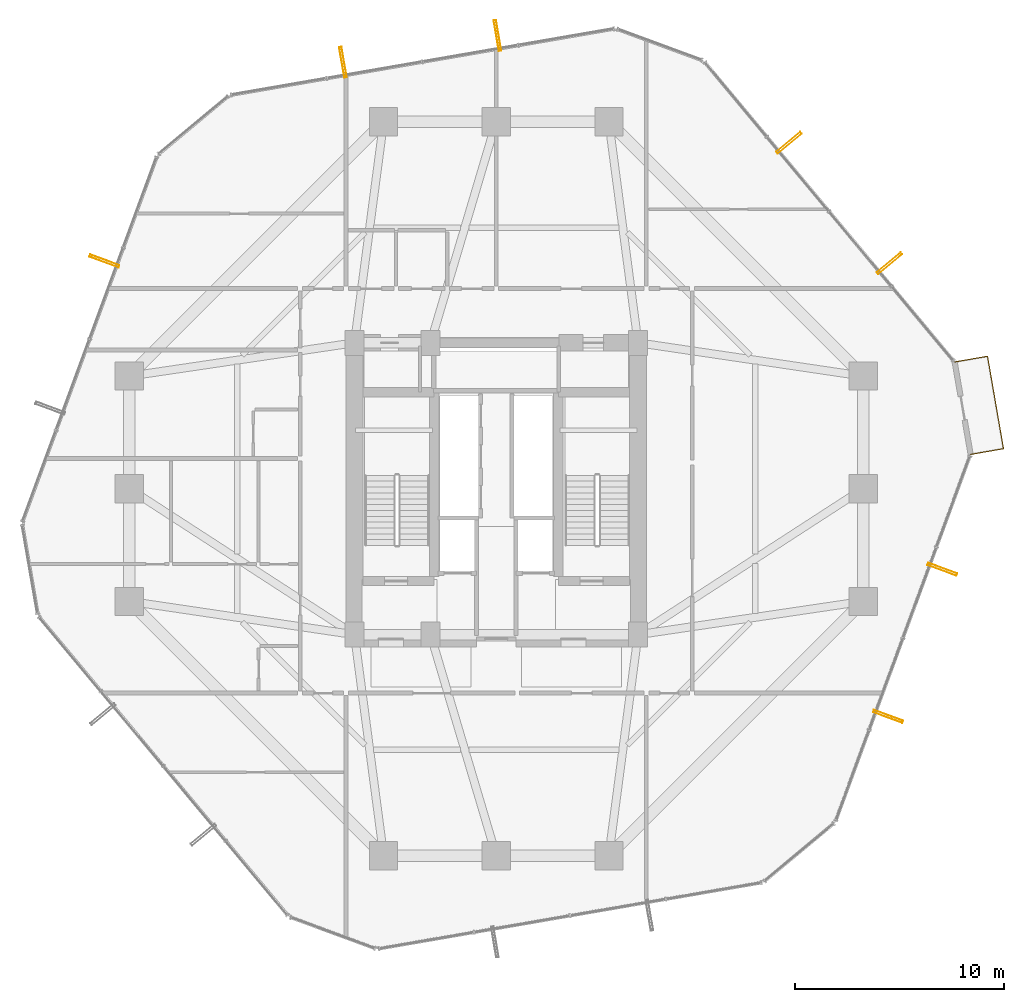
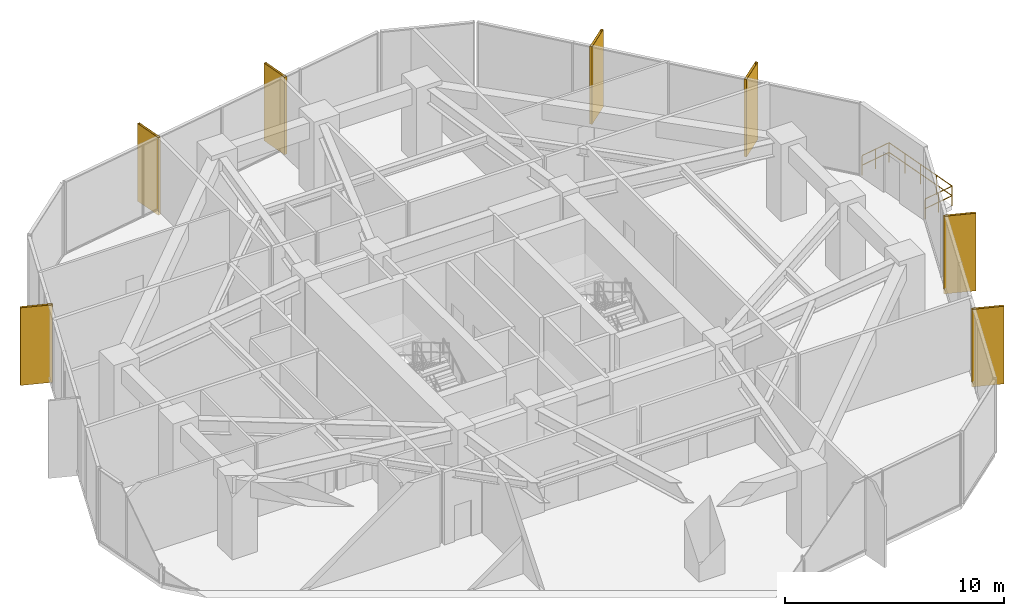
# One storey, part 35 of 35: 7 shading devices, 1 railing.
"""IFC4 building model written with IfcOpenShell, lengths in metres."""

from ifc_helpers import new_model, si_unit, direction, frame, origin, origin_2d, place, context, subcontext, project, spatial, hollow_rectangle, circle, extrude, material, material_profile, profile_set, type_object, element, save


model = new_model("IFC4")

# Units and contexts
model_context = context("Model", 3, precision=1e-05, world=origin(), true_north=direction((0.0, 1.0)))
body_context = subcontext(model_context, "Body", "Model", "MODEL_VIEW")
ifc_project = project(units=[si_unit("LENGTHUNIT", "METRE"), si_unit("AREAUNIT", "SQUARE_METRE"), si_unit("VOLUMEUNIT", "CUBIC_METRE"), si_unit("PLANEANGLEUNIT", "RADIAN"), si_unit("MASSUNIT", "GRAM", prefix="KILO")], contexts=[model_context])

# Site, building, storey
site_placement = place(None, origin())
site = spatial("IfcSite", under=ifc_project, at=site_placement, CompositionType="ELEMENT")
building_placement = place(site_placement, origin())
building = spatial("IfcBuilding", under=site, at=building_placement, Name="Veraguas Prism Commons", CompositionType="ELEMENT")
storey_placement = place(building_placement, frame((0.0, 0.0, 56.550048828125)))
storey = spatial("IfcBuildingStorey", under=building, at=storey_placement, Name="L15", CompositionType="ELEMENT", Elevation=56.550048828125)

# Shading devices
ifc_material_1 = material(Name="Anodised aluminium EN AW-6063 T6", Category="aluminium")
ifc_material_profile = material_profile(ifc_material_1, hollow_rectangle(XDim=0.1201171875, YDim=1.489990234375, WallThickness=0.006103515625, at=origin_2d()), Name="FIN120X1490X6")
ifc_profile_set = profile_set([ifc_material_profile], Name="Anodised aluminium EN AW-6063 T6")
shading_device_type = type_object("IfcShadingDeviceType", Name="Deep Pale-Metal Vertical Solar Fin 120x1490", PredefinedType="USERDEFINED", material=ifc_profile_set)
for number, where, z_axis, x_axis, name in (
    (1, (42.85595703125, 34.815185546875, -0.260009765625), (0.0, 0.0, 1.0), (-0.640108358576, 0.768284640795, 0.0), "Vertical Pale-Metal Solar Fin L15-F1A"),
    (2, (38.041259765625, 40.593994140625, -0.260009765625), (0.0, 0.0, 1.0), (-0.640108358576, 0.768284640795, 0.0), "Vertical Pale-Metal Solar Fin L15-F1B"),
    (3, (24.061767578125, 45.7373046875, -0.260009765625), (0.0, 0.0, 1.0), (-0.985407898483, -0.170209499166, 0.0), "Vertical Pale-Metal Solar Fin L15-F2A"),
    (4, (16.64990234375, 44.45703125, -0.260009765625), (0.0, 0.0, 1.0), (-0.985407898483, -0.170209499166, 0.0), "Vertical Pale-Metal Solar Fin L15-F2B"),
    (5, (5.205810546875, 34.922119140625, -0.260009765625), (0.0, 0.0, 1.0), (-0.345301474955, -0.938491817436, 0.0), "Vertical Pale-Metal Solar Fin L15-F3A"),
    (6, (42.794189453125, 13.077880859375, -0.260009765625), (0.0, 0.0, 1.0), (0.345301474955, 0.938491817436, 0.0), "Vertical Pale-Metal Solar Fin L15-F6A"),
    (7, (45.391357421875, 20.13671875, -0.260009765625), (0.0, 0.0, 1.0), (0.345301474955, 0.938491817436, 0.0), "Vertical Pale-Metal Solar Fin L15-F6B"),
):
    element("IfcShadingDevice", number, at=place(storey_placement, frame(where, z_axis=z_axis, x_axis=x_axis)), inside=storey, type_object=shading_device_type, Name=name, ObjectType="FIN", PredefinedType="USERDEFINED", context=body_context, shape_type="SweptSolid", body=[
        extrude(hollow_rectangle(XDim=0.1201171875, YDim=1.489990234375, WallThickness=0.006103515625, at=origin_2d()), origin(), (0.0, 0.0, 1.0), 4.330078125),
    ])

# Railing
ifc_material_2 = material(Name="Stainless steel AISI 316", Category="steel")
railing_type = type_object("IfcRailingType", Name="Loggia and Sky Pool Glazed Balustrade 1120", PredefinedType="BALUSTRADE", material=ifc_material_2)
railing_placement = place(storey_placement, frame((46.752685546875, 25.646728515625, 0.0)))
element("IfcRailing", 8, at=railing_placement, inside=storey, type_object=railing_type, Name="Recessed Corner Loggia L15-C1 Guard", PredefinedType="BALUSTRADE", context=body_context, shape_type="SweptSolid", body=[
    extrude(circle(Radius=0.02392578125, at=origin_2d()), frame((0.0, 0.0, 1.09619140625), z_axis=(0.985394850938, 0.170285019146, 0.0), x_axis=(-0.170285019146, 0.985394850938, 0.0)), (0.0, 0.0, 1.0), 1.60009765625),
    extrude(circle(Radius=0.02392578125, at=origin_2d()), frame((0.0, 0.0, 0.56005859375), z_axis=(0.985394850938, 0.170285019146, 0.0), x_axis=(-0.170285019146, 0.985394850938, 0.0)), (0.0, 0.0, 1.0), 1.60009765625),
    extrude(circle(Radius=0.02392578125, at=origin_2d()), frame((1.57666015625, 0.2724609375, 1.09619140625), z_axis=(-0.170246646925, 0.98540148123, 0.0), x_axis=(-0.98540148123, -0.170246646925, 0.0)), (0.0, 0.0, 1.0), 4.5),
    extrude(circle(Radius=0.02392578125, at=origin_2d()), frame((1.57666015625, 0.2724609375, 0.56005859375), z_axis=(-0.170246646925, 0.98540148123, 0.0), x_axis=(-0.98540148123, -0.170246646925, 0.0)), (0.0, 0.0, 1.0), 4.5),
    extrude(circle(Radius=0.02392578125, at=origin_2d()), frame((0.810546875, 4.706787109375, 1.09619140625), z_axis=(-0.98539042543, -0.170310626418, 0.0), x_axis=(0.170310626418, -0.98539042543, 0.0)), (0.0, 0.0, 1.0), 1.599853515625),
    extrude(circle(Radius=0.02392578125, at=origin_2d()), frame((0.810546875, 4.706787109375, 0.56005859375), z_axis=(-0.98539042543, -0.170310626418, 0.0), x_axis=(0.170310626418, -0.98539042543, 0.0)), (0.0, 0.0, 1.0), 1.599853515625),
    extrude(circle(Radius=0.02099609375, at=origin_2d()), origin(), (0.0, 0.0, 1.0), 1.072021484375),
    extrude(circle(Radius=0.02099609375, at=origin_2d()), frame((0.788330078125, 0.13623046875, 0.0)), (0.0, 0.0, 1.0), 1.072021484375),
    extrude(circle(Radius=0.02099609375, at=origin_2d()), frame((1.57666015625, 0.2724609375, 0.0)), (0.0, 0.0, 1.0), 1.072021484375),
    extrude(circle(Radius=0.02099609375, at=origin_2d()), frame((1.38525390625, 1.381103515625, 0.0)), (0.0, 0.0, 1.0), 1.072021484375),
    extrude(circle(Radius=0.02099609375, at=origin_2d()), frame((1.193603515625, 2.48974609375, 0.0)), (0.0, 0.0, 1.0), 1.072021484375),
    extrude(circle(Radius=0.02099609375, at=origin_2d()), frame((1.001953125, 3.59814453125, 0.0)), (0.0, 0.0, 1.0), 1.072021484375),
    extrude(circle(Radius=0.02099609375, at=origin_2d()), frame((0.810546875, 4.706787109375, 0.0)), (0.0, 0.0, 1.0), 1.072021484375),
    extrude(circle(Radius=0.02099609375, at=origin_2d()), frame((0.0224609375, 4.570556640625, 0.0)), (0.0, 0.0, 1.0), 1.072021484375),
    extrude(circle(Radius=0.02099609375, at=origin_2d()), frame((-0.765869140625, 4.434326171875, 0.0)), (0.0, 0.0, 1.0), 1.072021484375),
])

save(model, "model.ifc")
